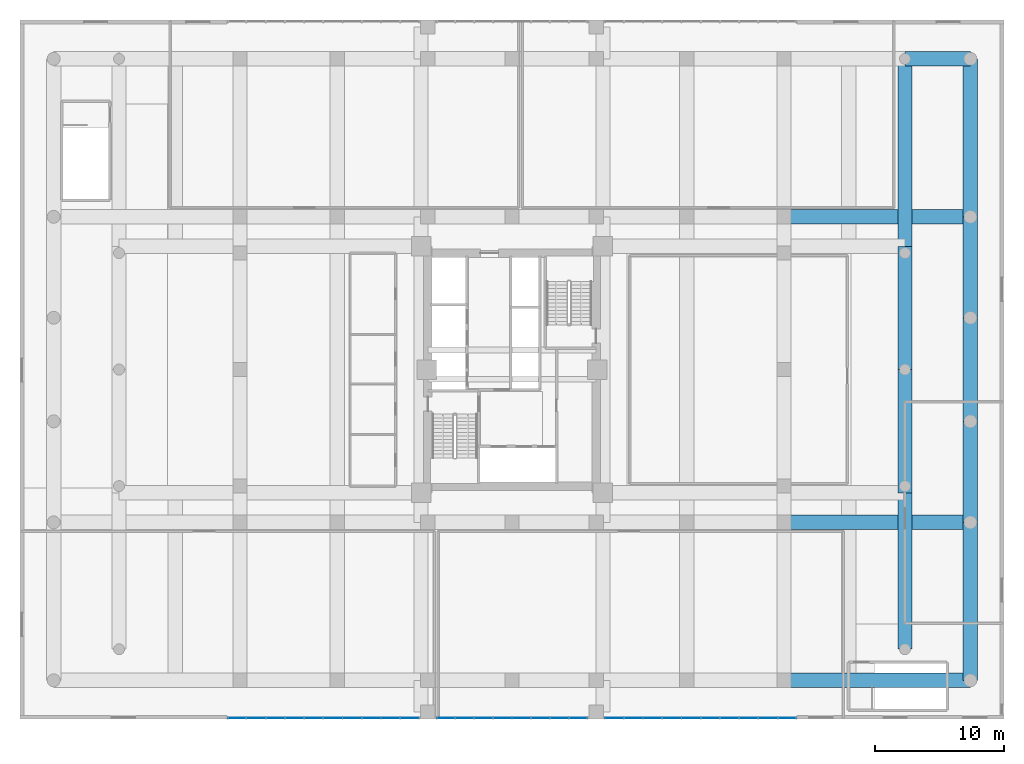
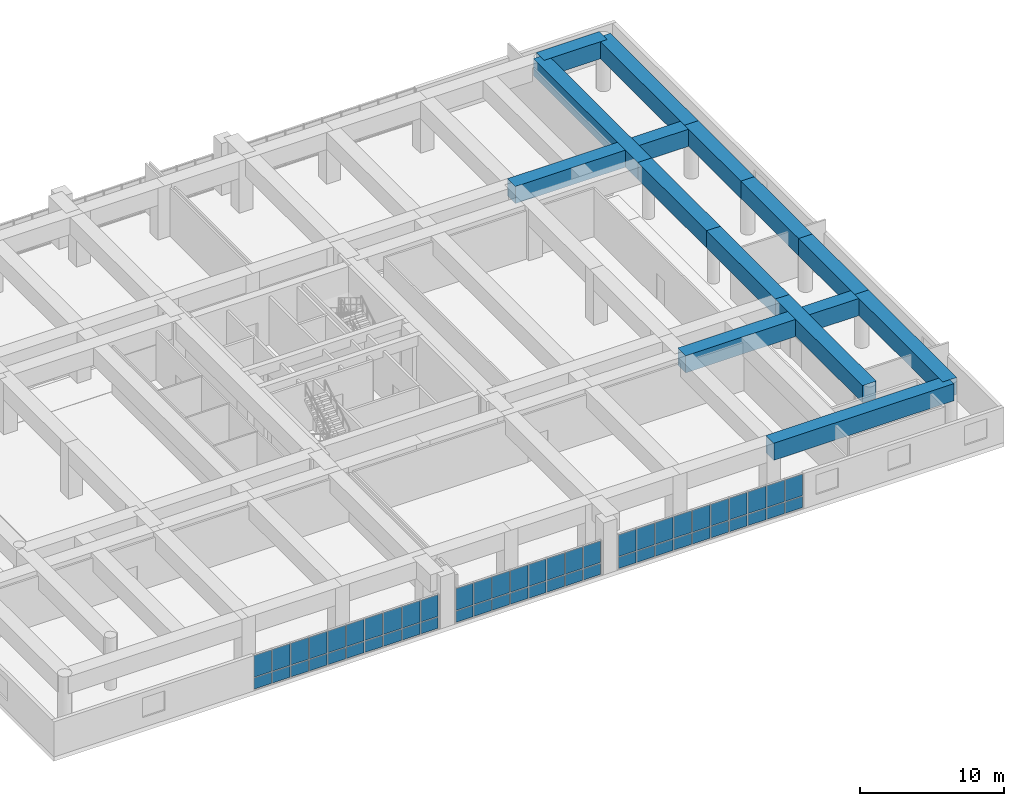
# One storey, part 16 of 28: 56 plates, 13 beams, 3 elements without a shape of their own.
"""IFC4 building model written with IfcOpenShell, lengths in metres."""

from ifc_helpers import new_model, si_unit, direction, frame, origin, origin_2d, place, context, subcontext, project, spatial, rectangle, extrude, source, transform, mapped, material, layer, layer_set, material_profile, profile_set, type_object, element, aggregate, save


model = new_model("IFC4")

# Units and contexts
model_context = context("Model", 3, precision=1e-05, world=origin(), true_north=direction((0.0, 1.0)))
body_context = subcontext(model_context, "Body", "Model", "MODEL_VIEW")
ifc_project = project(units=[si_unit("LENGTHUNIT", "METRE"), si_unit("AREAUNIT", "SQUARE_METRE"), si_unit("VOLUMEUNIT", "CUBIC_METRE"), si_unit("PLANEANGLEUNIT", "RADIAN"), si_unit("MASSUNIT", "GRAM", prefix="KILO")], contexts=[model_context])

# Site, building, storey
site_placement = place(None, origin())
site = spatial("IfcSite", under=ifc_project, at=site_placement, CompositionType="ELEMENT")
building_placement = place(site_placement, origin())
building = spatial("IfcBuilding", under=site, at=building_placement, Name="Saelheon Loggia Tower", CompositionType="ELEMENT")
storey_placement = place(building_placement, frame((0.0, 0.0, 15.0)))
storey = spatial("IfcBuildingStorey", under=building, at=storey_placement, Name="L04", CompositionType="ELEMENT", Elevation=15.0)

# Beams
ifc_material_1 = material(Name="Concrete C50/60", Category="concrete")
ifc_material_profile_1 = material_profile(ifc_material_1, rectangle(XDim=1.10009765625, YDim=1.449951171875, at=origin_2d()), Name="RC-1100x1450")
ifc_profile_set_1 = profile_set([ifc_material_profile_1], Name="Concrete C50/60")
beam_type_1 = type_object("IfcBeamType", Name="Beam_Transfer_RC1100x1450", PredefinedType="BEAM", material=ifc_profile_set_1)
shared_shape_1 = source(origin(), body_context, "Body", "SweptSolid", [
    extrude(rectangle(XDim=1.10009765625, YDim=1.449951171875, at=origin_2d()), origin(), (0.0, 0.0, 1.0), 14.39990234375),
])
for number, where, z_axis, x_axis, name in (
    (1, (59.0, 3.0, 3.675048828125), (1.0, 0.0, 0.0), (0.0, 1.0, 0.0), "BM-L04-EW-3-8"),
    (2, (59.0, 15.199951171875, 3.675048828125), (1.0, 0.0, 0.0), (0.0, 1.0, 0.0), "BM-L04-EW-15-8"),
    (3, (59.0, 38.800048828125, 3.675048828125), (1.0, 0.0, 0.0), (0.0, 1.0, 0.0), "BM-L04-EW-38-8"),
):
    element("IfcBeam", number, at=place(storey_placement, frame(where, z_axis=z_axis, x_axis=x_axis)), inside=storey, type_object=beam_type_1, Name=name, PredefinedType="BEAM", context=body_context, shape_type="MappedRepresentation", body=[
        mapped(shared_shape_1, transform((0.0, 0.0, 0.0), scale=1.0)),
    ])
shared_shape_2 = source(origin(), body_context, "Body", "SweptSolid", [
    extrude(rectangle(XDim=1.10009765625, YDim=1.449951171875, at=origin_2d()), origin(), (0.0, 0.0, 1.0), 5.0498046875),
])
beam_1_placement = place(storey_placement, frame((68.35009765625, 51.0, 3.675048828125), z_axis=(1.0, 0.0, 0.0), x_axis=(0.0, 1.0, 0.0)))
element("IfcBeam", 4, at=beam_1_placement, inside=storey, type_object=beam_type_1, Name="BM-L04-EW-51-10", PredefinedType="BEAM", context=body_context, shape_type="MappedRepresentation", body=[
    mapped(shared_shape_2, transform((0.0, 0.0, 0.0), scale=1.0)),
])
ifc_material_profile_2 = material_profile(ifc_material_1, rectangle(XDim=1.10009765625, YDim=1.449951171875, at=origin_2d()), Name="RC-1100x1450")
ifc_profile_set_2 = profile_set([ifc_material_profile_2], Name="Concrete C50/60")
beam_type_2 = type_object("IfcBeamType", Name="Beam_PerimTransfer_RC1100x1450", PredefinedType="BEAM", material=ifc_profile_set_2)
shared_shape_3 = source(origin(), body_context, "Body", "SweptSolid", [
    extrude(rectangle(XDim=1.10009765625, YDim=1.449951171875, at=origin_2d()), origin(), (0.0, 0.0, 1.0), 12.199951171875),
])
for number, where, z_axis, x_axis, name in (
    (5, (73.39990234375, 3.0, 3.675048828125), (0.0, 1.0, 0.0), (-1.0, 0.0, 0.0), "BM-L04-NS-73-1"),
    (6, (73.39990234375, 38.800048828125, 3.675048828125), (0.0, 1.0, 0.0), (-1.0, 0.0, 0.0), "BM-L04-NS-73-5"),
):
    element("IfcBeam", number, at=place(storey_placement, frame(where, z_axis=z_axis, x_axis=x_axis)), inside=storey, type_object=beam_type_2, Name=name, PredefinedType="BEAM", context=body_context, shape_type="MappedRepresentation", body=[
        mapped(shared_shape_3, transform((0.0, 0.0, 0.0), scale=1.0)),
    ])
shared_shape_4 = source(origin(), body_context, "Body", "SweptSolid", [
    extrude(rectangle(XDim=1.10009765625, YDim=1.449951171875, at=origin_2d()), origin(), (0.0, 0.0, 1.0), 7.800048828125),
])
for number, where, z_axis, x_axis, name in (
    (7, (73.39990234375, 15.199951171875, 3.675048828125), (0.0, 1.0, 0.0), (-1.0, 0.0, 0.0), "BM-L04-NS-73-2"),
    (8, (73.39990234375, 31.0, 3.675048828125), (0.0, 1.0, 0.0), (-1.0, 0.0, 0.0), "BM-L04-NS-73-4"),
):
    element("IfcBeam", number, at=place(storey_placement, frame(where, z_axis=z_axis, x_axis=x_axis)), inside=storey, type_object=beam_type_2, Name=name, PredefinedType="BEAM", context=body_context, shape_type="MappedRepresentation", body=[
        mapped(shared_shape_4, transform((0.0, 0.0, 0.0), scale=1.0)),
    ])
shared_shape_5 = source(origin(), body_context, "Body", "SweptSolid", [
    extrude(rectangle(XDim=1.10009765625, YDim=1.449951171875, at=origin_2d()), origin(), (0.0, 0.0, 1.0), 8.0),
])
beam_2_placement = place(storey_placement, frame((73.39990234375, 23.0, 3.675048828125), z_axis=(0.0, 1.0, 0.0), x_axis=(-1.0, 0.0, 0.0)))
element("IfcBeam", 9, at=beam_2_placement, inside=storey, type_object=beam_type_2, Name="BM-L04-NS-73-3", PredefinedType="BEAM", context=body_context, shape_type="MappedRepresentation", body=[
    mapped(shared_shape_5, transform((0.0, 0.0, 0.0), scale=1.0)),
])
shared_shape_6 = source(origin(), body_context, "Body", "SweptSolid", [
    extrude(rectangle(XDim=1.10009765625, YDim=1.449951171875, at=origin_2d()), origin(), (0.0, 0.0, 1.0), 12.080078125),
])
beam_3_placement = place(storey_placement, frame((68.35009765625, 5.39990234375, 3.675048828125), z_axis=(0.0, 1.0, 0.0), x_axis=(-1.0, 0.0, 0.0)))
element("IfcBeam", 10, at=beam_3_placement, inside=storey, type_object=beam_type_1, Name="BM-L04-NS-68-1", PredefinedType="BEAM", context=body_context, shape_type="MappedRepresentation", body=[
    mapped(shared_shape_6, transform((0.0, 0.0, 0.0), scale=1.0)),
])
shared_shape_7 = source(origin(), body_context, "Body", "SweptSolid", [
    extrude(rectangle(XDim=1.10009765625, YDim=1.449951171875, at=origin_2d()), origin(), (0.0, 0.0, 1.0), 9.52001953125),
])
for number, where, z_axis, x_axis, name in (
    (11, (68.35009765625, 17.47998046875, 3.675048828125), (0.0, 1.0, 0.0), (-1.0, 0.0, 0.0), "BM-L04-NS-68-2"),
    (12, (68.35009765625, 27.0, 3.675048828125), (0.0, 1.0, 0.0), (-1.0, 0.0, 0.0), "BM-L04-NS-68-3"),
):
    element("IfcBeam", number, at=place(storey_placement, frame(where, z_axis=z_axis, x_axis=x_axis)), inside=storey, type_object=beam_type_1, Name=name, PredefinedType="BEAM", context=body_context, shape_type="MappedRepresentation", body=[
        mapped(shared_shape_7, transform((0.0, 0.0, 0.0), scale=1.0)),
    ])
shared_shape_8 = source(origin(), body_context, "Body", "SweptSolid", [
    extrude(rectangle(XDim=1.10009765625, YDim=1.449951171875, at=origin_2d()), origin(), (0.0, 0.0, 1.0), 14.47998046875),
])
beam_4_placement = place(storey_placement, frame((68.35009765625, 36.52001953125, 3.675048828125), z_axis=(0.0, 1.0, 0.0), x_axis=(-1.0, 0.0, 0.0)))
element("IfcBeam", 13, at=beam_4_placement, inside=storey, type_object=beam_type_1, Name="BM-L04-NS-68-4", PredefinedType="BEAM", context=body_context, shape_type="MappedRepresentation", body=[
    mapped(shared_shape_8, transform((0.0, 0.0, 0.0), scale=1.0)),
])

# Curtain wall, plates
ifc_material_2 = material(Name="Aluminium 6063-T6 and Low-E IGU", Category="aluminium")
ifc_layer_1 = layer(ifc_material_2, 0.179931640625)
ifc_layer_set_1 = layer_set([ifc_layer_1], Name="Aluminium 6063-T6 and Low-E IGU")
curtain_wall_type = type_object("IfcCurtainWallType", Name="CW_PodiumClinic", PredefinedType="NOTDEFINED", material=ifc_layer_set_1)
curtain_wall_1_placement = place(storey_placement, origin())
curtain_wall_1 = element("IfcCurtainWall", 14, at=curtain_wall_1_placement, inside=storey, type_object=curtain_wall_type, Name="L04 South Clinic Curtain Wall 1", PredefinedType="NOTDEFINED")
ifc_material_3 = material(Name="Triple Low-E Laminated Glazing", Category="glass")
ifc_layer_2 = layer(ifc_material_3, 0.031982421875)
ifc_layer_set_2 = layer_set([ifc_layer_2], Name="Triple Low-E Laminated Glazing")
plate_type = type_object("IfcPlateType", Name="CW_PodiumClinic_Panel", PredefinedType="CURTAIN_PANEL", material=ifc_layer_set_2)
shared_shape_9 = source(origin(), body_context, "Body", "SweptSolid", [
    extrude(rectangle(XDim=1.3798828125, YDim=0.031982421875, at=origin_2d()), origin(), (0.0, 0.0, 1.0), 0.945068359375),
])
plate_1_placement = place(storey_placement, frame((16.760009765625, 0.10009765625, 0.06982421875), z_axis=(0.0, 0.0, 1.0), x_axis=(1.0, 0.0, 0.0)))
plate_1 = element("IfcPlate", 15, at=plate_1_placement, type_object=plate_type, Name="CW1 panel 1.1", PredefinedType="CURTAIN_PANEL", context=body_context, shape_type="MappedRepresentation", body=[
    mapped(shared_shape_9, transform((0.0, 0.0, 0.0), scale=1.0)),
])
plate_2_placement = place(storey_placement, frame((30.090087890625, 0.10009765625, 0.06982421875), z_axis=(0.0, 0.0, 1.0), x_axis=(1.0, 0.0, 0.0)))
plate_2 = element("IfcPlate", 16, at=plate_2_placement, type_object=plate_type, Name="CW1 panel 10.1", PredefinedType="CURTAIN_PANEL", context=body_context, shape_type="MappedRepresentation", body=[
    mapped(shared_shape_9, transform((0.0, 0.0, 0.0), scale=1.0)),
])

curtain_wall_2_placement = place(storey_placement, origin())
curtain_wall_2 = element("IfcCurtainWall", 17, at=curtain_wall_2_placement, inside=storey, type_object=curtain_wall_type, Name="L04 South Clinic Curtain Wall 3", PredefinedType="NOTDEFINED")
plate_3_placement = place(storey_placement, frame((45.909912109375, 0.10009765625, 0.06982421875), z_axis=(0.0, 0.0, 1.0), x_axis=(1.0, 0.0, 0.0)))
plate_3 = element("IfcPlate", 18, at=plate_3_placement, type_object=plate_type, Name="CW1 panel 1.1", PredefinedType="CURTAIN_PANEL", context=body_context, shape_type="MappedRepresentation", body=[
    mapped(shared_shape_9, transform((0.0, 0.0, 0.0), scale=1.0)),
])
plate_4_placement = place(storey_placement, frame((59.239990234375, 0.10009765625, 0.06982421875), z_axis=(0.0, 0.0, 1.0), x_axis=(1.0, 0.0, 0.0)))
plate_4 = element("IfcPlate", 19, at=plate_4_placement, type_object=plate_type, Name="CW1 panel 10.1", PredefinedType="CURTAIN_PANEL", context=body_context, shape_type="MappedRepresentation", body=[
    mapped(shared_shape_9, transform((0.0, 0.0, 0.0), scale=1.0)),
])

# Plate
shared_shape_10 = source(origin(), body_context, "Body", "SweptSolid", [
    extrude(rectangle(XDim=1.4150390625, YDim=0.031982421875, at=origin_2d()), origin(), (0.0, 0.0, 1.0), 0.945068359375),
])
plate_5_placement = place(storey_placement, frame((18.2275390625, 0.10009765625, 0.06982421875), z_axis=(0.0, 0.0, 1.0), x_axis=(1.0, 0.0, 0.0)))
plate_5 = element("IfcPlate", 20, at=plate_5_placement, type_object=plate_type, Name="CW1 panel 2.1", PredefinedType="CURTAIN_PANEL", context=body_context, shape_type="MappedRepresentation", body=[
    mapped(shared_shape_10, transform((0.0, 0.0, 0.0), scale=1.0)),
])

plate_6_placement = place(storey_placement, frame((19.71240234375, 0.10009765625, 0.06982421875), z_axis=(0.0, 0.0, 1.0), x_axis=(1.0, 0.0, 0.0)))
plate_6 = element("IfcPlate", 21, at=plate_6_placement, type_object=plate_type, Name="CW1 panel 3.1", PredefinedType="CURTAIN_PANEL", context=body_context, shape_type="MappedRepresentation", body=[
    mapped(shared_shape_10, transform((0.0, 0.0, 0.0), scale=1.0)),
])

plate_7_placement = place(storey_placement, frame((21.197509765625, 0.10009765625, 0.06982421875), z_axis=(0.0, 0.0, 1.0), x_axis=(1.0, 0.0, 0.0)))
plate_7 = element("IfcPlate", 22, at=plate_7_placement, type_object=plate_type, Name="CW1 panel 4.1", PredefinedType="CURTAIN_PANEL", context=body_context, shape_type="MappedRepresentation", body=[
    mapped(shared_shape_10, transform((0.0, 0.0, 0.0), scale=1.0)),
])

plate_8_placement = place(storey_placement, frame((22.6826171875, 0.10009765625, 0.06982421875), z_axis=(0.0, 0.0, 1.0), x_axis=(1.0, 0.0, 0.0)))
plate_8 = element("IfcPlate", 23, at=plate_8_placement, type_object=plate_type, Name="CW1 panel 5.1", PredefinedType="CURTAIN_PANEL", context=body_context, shape_type="MappedRepresentation", body=[
    mapped(shared_shape_10, transform((0.0, 0.0, 0.0), scale=1.0)),
])

plate_9_placement = place(storey_placement, frame((24.16748046875, 0.10009765625, 0.06982421875), z_axis=(0.0, 0.0, 1.0), x_axis=(1.0, 0.0, 0.0)))
plate_9 = element("IfcPlate", 24, at=plate_9_placement, type_object=plate_type, Name="CW1 panel 6.1", PredefinedType="CURTAIN_PANEL", context=body_context, shape_type="MappedRepresentation", body=[
    mapped(shared_shape_10, transform((0.0, 0.0, 0.0), scale=1.0)),
])

plate_10_placement = place(storey_placement, frame((25.652587890625, 0.10009765625, 0.06982421875), z_axis=(0.0, 0.0, 1.0), x_axis=(1.0, 0.0, 0.0)))
plate_10 = element("IfcPlate", 25, at=plate_10_placement, type_object=plate_type, Name="CW1 panel 7.1", PredefinedType="CURTAIN_PANEL", context=body_context, shape_type="MappedRepresentation", body=[
    mapped(shared_shape_10, transform((0.0, 0.0, 0.0), scale=1.0)),
])

plate_11_placement = place(storey_placement, frame((27.137451171875, 0.10009765625, 0.06982421875), z_axis=(0.0, 0.0, 1.0), x_axis=(1.0, 0.0, 0.0)))
plate_11 = element("IfcPlate", 26, at=plate_11_placement, type_object=plate_type, Name="CW1 panel 8.1", PredefinedType="CURTAIN_PANEL", context=body_context, shape_type="MappedRepresentation", body=[
    mapped(shared_shape_10, transform((0.0, 0.0, 0.0), scale=1.0)),
])

plate_12_placement = place(storey_placement, frame((28.62255859375, 0.10009765625, 0.06982421875), z_axis=(0.0, 0.0, 1.0), x_axis=(1.0, 0.0, 0.0)))
plate_12 = element("IfcPlate", 27, at=plate_12_placement, type_object=plate_type, Name="CW1 panel 9.1", PredefinedType="CURTAIN_PANEL", context=body_context, shape_type="MappedRepresentation", body=[
    mapped(shared_shape_10, transform((0.0, 0.0, 0.0), scale=1.0)),
])

plate_13_placement = place(storey_placement, frame((47.37744140625, 0.10009765625, 0.06982421875), z_axis=(0.0, 0.0, 1.0), x_axis=(1.0, 0.0, 0.0)))
plate_13 = element("IfcPlate", 28, at=plate_13_placement, type_object=plate_type, Name="CW1 panel 2.1", PredefinedType="CURTAIN_PANEL", context=body_context, shape_type="MappedRepresentation", body=[
    mapped(shared_shape_10, transform((0.0, 0.0, 0.0), scale=1.0)),
])

plate_14_placement = place(storey_placement, frame((48.862548828125, 0.10009765625, 0.06982421875), z_axis=(0.0, 0.0, 1.0), x_axis=(1.0, 0.0, 0.0)))
plate_14 = element("IfcPlate", 29, at=plate_14_placement, type_object=plate_type, Name="CW1 panel 3.1", PredefinedType="CURTAIN_PANEL", context=body_context, shape_type="MappedRepresentation", body=[
    mapped(shared_shape_10, transform((0.0, 0.0, 0.0), scale=1.0)),
])

plate_15_placement = place(storey_placement, frame((50.347412109375, 0.10009765625, 0.06982421875), z_axis=(0.0, 0.0, 1.0), x_axis=(1.0, 0.0, 0.0)))
plate_15 = element("IfcPlate", 30, at=plate_15_placement, type_object=plate_type, Name="CW1 panel 4.1", PredefinedType="CURTAIN_PANEL", context=body_context, shape_type="MappedRepresentation", body=[
    mapped(shared_shape_10, transform((0.0, 0.0, 0.0), scale=1.0)),
])

plate_16_placement = place(storey_placement, frame((51.83251953125, 0.10009765625, 0.06982421875), z_axis=(0.0, 0.0, 1.0), x_axis=(1.0, 0.0, 0.0)))
plate_16 = element("IfcPlate", 31, at=plate_16_placement, type_object=plate_type, Name="CW1 panel 5.1", PredefinedType="CURTAIN_PANEL", context=body_context, shape_type="MappedRepresentation", body=[
    mapped(shared_shape_10, transform((0.0, 0.0, 0.0), scale=1.0)),
])

plate_17_placement = place(storey_placement, frame((53.3173828125, 0.10009765625, 0.06982421875), z_axis=(0.0, 0.0, 1.0), x_axis=(1.0, 0.0, 0.0)))
plate_17 = element("IfcPlate", 32, at=plate_17_placement, type_object=plate_type, Name="CW1 panel 6.1", PredefinedType="CURTAIN_PANEL", context=body_context, shape_type="MappedRepresentation", body=[
    mapped(shared_shape_10, transform((0.0, 0.0, 0.0), scale=1.0)),
])

plate_18_placement = place(storey_placement, frame((54.802490234375, 0.10009765625, 0.06982421875), z_axis=(0.0, 0.0, 1.0), x_axis=(1.0, 0.0, 0.0)))
plate_18 = element("IfcPlate", 33, at=plate_18_placement, type_object=plate_type, Name="CW1 panel 7.1", PredefinedType="CURTAIN_PANEL", context=body_context, shape_type="MappedRepresentation", body=[
    mapped(shared_shape_10, transform((0.0, 0.0, 0.0), scale=1.0)),
])

plate_19_placement = place(storey_placement, frame((56.28759765625, 0.10009765625, 0.06982421875), z_axis=(0.0, 0.0, 1.0), x_axis=(1.0, 0.0, 0.0)))
plate_19 = element("IfcPlate", 34, at=plate_19_placement, type_object=plate_type, Name="CW1 panel 8.1", PredefinedType="CURTAIN_PANEL", context=body_context, shape_type="MappedRepresentation", body=[
    mapped(shared_shape_10, transform((0.0, 0.0, 0.0), scale=1.0)),
])

plate_20_placement = place(storey_placement, frame((57.7724609375, 0.10009765625, 0.06982421875), z_axis=(0.0, 0.0, 1.0), x_axis=(1.0, 0.0, 0.0)))
plate_20 = element("IfcPlate", 35, at=plate_20_placement, type_object=plate_type, Name="CW1 panel 9.1", PredefinedType="CURTAIN_PANEL", context=body_context, shape_type="MappedRepresentation", body=[
    mapped(shared_shape_10, transform((0.0, 0.0, 0.0), scale=1.0)),
])

# Curtain wall, plates
curtain_wall_3_placement = place(storey_placement, origin())
curtain_wall_3 = element("IfcCurtainWall", 36, at=curtain_wall_3_placement, inside=storey, type_object=curtain_wall_type, Name="L04 South Clinic Curtain Wall 2", PredefinedType="NOTDEFINED")
shared_shape_11 = source(origin(), body_context, "Body", "SweptSolid", [
    extrude(rectangle(XDim=1.357421875, YDim=0.031982421875, at=origin_2d()), origin(), (0.0, 0.0, 1.0), 0.945068359375),
])
plate_21_placement = place(storey_placement, frame((32.898681640625, 0.10009765625, 0.06982421875), z_axis=(0.0, 0.0, 1.0), x_axis=(1.0, 0.0, 0.0)))
plate_21 = element("IfcPlate", 37, at=plate_21_placement, type_object=plate_type, Name="CW1 panel 1.1", PredefinedType="CURTAIN_PANEL", context=body_context, shape_type="MappedRepresentation", body=[
    mapped(shared_shape_11, transform((0.0, 0.0, 0.0), scale=1.0)),
])
plate_22_placement = place(storey_placement, frame((43.101318359375, 0.10009765625, 0.06982421875), z_axis=(0.0, 0.0, 1.0), x_axis=(1.0, 0.0, 0.0)))
plate_22 = element("IfcPlate", 38, at=plate_22_placement, type_object=plate_type, Name="CW1 panel 8.1", PredefinedType="CURTAIN_PANEL", context=body_context, shape_type="MappedRepresentation", body=[
    mapped(shared_shape_11, transform((0.0, 0.0, 0.0), scale=1.0)),
])
shared_shape_12 = source(origin(), body_context, "Body", "SweptSolid", [
    extrude(rectangle(XDim=1.392578125, YDim=0.031982421875, at=origin_2d()), origin(), (0.0, 0.0, 1.0), 0.945068359375),
])
plate_23_placement = place(storey_placement, frame((34.34375, 0.10009765625, 0.06982421875), z_axis=(0.0, 0.0, 1.0), x_axis=(1.0, 0.0, 0.0)))
plate_23 = element("IfcPlate", 39, at=plate_23_placement, type_object=plate_type, Name="CW1 panel 2.1", PredefinedType="CURTAIN_PANEL", context=body_context, shape_type="MappedRepresentation", body=[
    mapped(shared_shape_12, transform((0.0, 0.0, 0.0), scale=1.0)),
])
plate_24_placement = place(storey_placement, frame((35.80615234375, 0.10009765625, 0.06982421875), z_axis=(0.0, 0.0, 1.0), x_axis=(1.0, 0.0, 0.0)))
plate_24 = element("IfcPlate", 40, at=plate_24_placement, type_object=plate_type, Name="CW1 panel 3.1", PredefinedType="CURTAIN_PANEL", context=body_context, shape_type="MappedRepresentation", body=[
    mapped(shared_shape_12, transform((0.0, 0.0, 0.0), scale=1.0)),
])
plate_25_placement = place(storey_placement, frame((37.268798828125, 0.10009765625, 0.06982421875), z_axis=(0.0, 0.0, 1.0), x_axis=(1.0, 0.0, 0.0)))
plate_25 = element("IfcPlate", 41, at=plate_25_placement, type_object=plate_type, Name="CW1 panel 4.1", PredefinedType="CURTAIN_PANEL", context=body_context, shape_type="MappedRepresentation", body=[
    mapped(shared_shape_12, transform((0.0, 0.0, 0.0), scale=1.0)),
])
plate_26_placement = place(storey_placement, frame((38.731201171875, 0.10009765625, 0.06982421875), z_axis=(0.0, 0.0, 1.0), x_axis=(1.0, 0.0, 0.0)))
plate_26 = element("IfcPlate", 42, at=plate_26_placement, type_object=plate_type, Name="CW1 panel 5.1", PredefinedType="CURTAIN_PANEL", context=body_context, shape_type="MappedRepresentation", body=[
    mapped(shared_shape_12, transform((0.0, 0.0, 0.0), scale=1.0)),
])
plate_27_placement = place(storey_placement, frame((40.19384765625, 0.10009765625, 0.06982421875), z_axis=(0.0, 0.0, 1.0), x_axis=(1.0, 0.0, 0.0)))
plate_27 = element("IfcPlate", 43, at=plate_27_placement, type_object=plate_type, Name="CW1 panel 6.1", PredefinedType="CURTAIN_PANEL", context=body_context, shape_type="MappedRepresentation", body=[
    mapped(shared_shape_12, transform((0.0, 0.0, 0.0), scale=1.0)),
])
plate_28_placement = place(storey_placement, frame((41.65625, 0.10009765625, 0.06982421875), z_axis=(0.0, 0.0, 1.0), x_axis=(1.0, 0.0, 0.0)))
plate_28 = element("IfcPlate", 44, at=plate_28_placement, type_object=plate_type, Name="CW1 panel 7.1", PredefinedType="CURTAIN_PANEL", context=body_context, shape_type="MappedRepresentation", body=[
    mapped(shared_shape_12, transform((0.0, 0.0, 0.0), scale=1.0)),
])

# Plate
shared_shape_13 = source(origin(), body_context, "Body", "SweptSolid", [
    extrude(rectangle(XDim=1.3798828125, YDim=0.031982421875, at=origin_2d()), origin(), (0.0, 0.0, 1.0), 1.824951171875),
])
plate_29_placement = place(storey_placement, frame((16.760009765625, 0.10009765625, 1.0849609375), z_axis=(0.0, 0.0, 1.0), x_axis=(1.0, 0.0, 0.0)))
plate_29 = element("IfcPlate", 45, at=plate_29_placement, type_object=plate_type, Name="CW1 panel 1.2", PredefinedType="CURTAIN_PANEL", context=body_context, shape_type="MappedRepresentation", body=[
    mapped(shared_shape_13, transform((0.0, 0.0, 0.0), scale=1.0)),
])

plate_30_placement = place(storey_placement, frame((30.090087890625, 0.10009765625, 1.0849609375), z_axis=(0.0, 0.0, 1.0), x_axis=(1.0, 0.0, 0.0)))
plate_30 = element("IfcPlate", 46, at=plate_30_placement, type_object=plate_type, Name="CW1 panel 10.2", PredefinedType="CURTAIN_PANEL", context=body_context, shape_type="MappedRepresentation", body=[
    mapped(shared_shape_13, transform((0.0, 0.0, 0.0), scale=1.0)),
])

plate_31_placement = place(storey_placement, frame((45.909912109375, 0.10009765625, 1.0849609375), z_axis=(0.0, 0.0, 1.0), x_axis=(1.0, 0.0, 0.0)))
plate_31 = element("IfcPlate", 47, at=plate_31_placement, type_object=plate_type, Name="CW1 panel 1.2", PredefinedType="CURTAIN_PANEL", context=body_context, shape_type="MappedRepresentation", body=[
    mapped(shared_shape_13, transform((0.0, 0.0, 0.0), scale=1.0)),
])

plate_32_placement = place(storey_placement, frame((59.239990234375, 0.10009765625, 1.0849609375), z_axis=(0.0, 0.0, 1.0), x_axis=(1.0, 0.0, 0.0)))
plate_32 = element("IfcPlate", 48, at=plate_32_placement, type_object=plate_type, Name="CW1 panel 10.2", PredefinedType="CURTAIN_PANEL", context=body_context, shape_type="MappedRepresentation", body=[
    mapped(shared_shape_13, transform((0.0, 0.0, 0.0), scale=1.0)),
])

shared_shape_14 = source(origin(), body_context, "Body", "SweptSolid", [
    extrude(rectangle(XDim=1.4150390625, YDim=0.031982421875, at=origin_2d()), origin(), (0.0, 0.0, 1.0), 1.824951171875),
])
plate_33_placement = place(storey_placement, frame((18.2275390625, 0.10009765625, 1.0849609375), z_axis=(0.0, 0.0, 1.0), x_axis=(1.0, 0.0, 0.0)))
plate_33 = element("IfcPlate", 49, at=plate_33_placement, type_object=plate_type, Name="CW1 panel 2.2", PredefinedType="CURTAIN_PANEL", context=body_context, shape_type="MappedRepresentation", body=[
    mapped(shared_shape_14, transform((0.0, 0.0, 0.0), scale=1.0)),
])

plate_34_placement = place(storey_placement, frame((19.71240234375, 0.10009765625, 1.0849609375), z_axis=(0.0, 0.0, 1.0), x_axis=(1.0, 0.0, 0.0)))
plate_34 = element("IfcPlate", 50, at=plate_34_placement, type_object=plate_type, Name="CW1 panel 3.2", PredefinedType="CURTAIN_PANEL", context=body_context, shape_type="MappedRepresentation", body=[
    mapped(shared_shape_14, transform((0.0, 0.0, 0.0), scale=1.0)),
])

plate_35_placement = place(storey_placement, frame((21.197509765625, 0.10009765625, 1.0849609375), z_axis=(0.0, 0.0, 1.0), x_axis=(1.0, 0.0, 0.0)))
plate_35 = element("IfcPlate", 51, at=plate_35_placement, type_object=plate_type, Name="CW1 panel 4.2", PredefinedType="CURTAIN_PANEL", context=body_context, shape_type="MappedRepresentation", body=[
    mapped(shared_shape_14, transform((0.0, 0.0, 0.0), scale=1.0)),
])

plate_36_placement = place(storey_placement, frame((22.6826171875, 0.10009765625, 1.0849609375), z_axis=(0.0, 0.0, 1.0), x_axis=(1.0, 0.0, 0.0)))
plate_36 = element("IfcPlate", 52, at=plate_36_placement, type_object=plate_type, Name="CW1 panel 5.2", PredefinedType="CURTAIN_PANEL", context=body_context, shape_type="MappedRepresentation", body=[
    mapped(shared_shape_14, transform((0.0, 0.0, 0.0), scale=1.0)),
])

plate_37_placement = place(storey_placement, frame((24.16748046875, 0.10009765625, 1.0849609375), z_axis=(0.0, 0.0, 1.0), x_axis=(1.0, 0.0, 0.0)))
plate_37 = element("IfcPlate", 53, at=plate_37_placement, type_object=plate_type, Name="CW1 panel 6.2", PredefinedType="CURTAIN_PANEL", context=body_context, shape_type="MappedRepresentation", body=[
    mapped(shared_shape_14, transform((0.0, 0.0, 0.0), scale=1.0)),
])

plate_38_placement = place(storey_placement, frame((25.652587890625, 0.10009765625, 1.0849609375), z_axis=(0.0, 0.0, 1.0), x_axis=(1.0, 0.0, 0.0)))
plate_38 = element("IfcPlate", 54, at=plate_38_placement, type_object=plate_type, Name="CW1 panel 7.2", PredefinedType="CURTAIN_PANEL", context=body_context, shape_type="MappedRepresentation", body=[
    mapped(shared_shape_14, transform((0.0, 0.0, 0.0), scale=1.0)),
])

plate_39_placement = place(storey_placement, frame((27.137451171875, 0.10009765625, 1.0849609375), z_axis=(0.0, 0.0, 1.0), x_axis=(1.0, 0.0, 0.0)))
plate_39 = element("IfcPlate", 55, at=plate_39_placement, type_object=plate_type, Name="CW1 panel 8.2", PredefinedType="CURTAIN_PANEL", context=body_context, shape_type="MappedRepresentation", body=[
    mapped(shared_shape_14, transform((0.0, 0.0, 0.0), scale=1.0)),
])

plate_40_placement = place(storey_placement, frame((28.62255859375, 0.10009765625, 1.0849609375), z_axis=(0.0, 0.0, 1.0), x_axis=(1.0, 0.0, 0.0)))
plate_40 = element("IfcPlate", 56, at=plate_40_placement, type_object=plate_type, Name="CW1 panel 9.2", PredefinedType="CURTAIN_PANEL", context=body_context, shape_type="MappedRepresentation", body=[
    mapped(shared_shape_14, transform((0.0, 0.0, 0.0), scale=1.0)),
])

aggregate(curtain_wall_1, [plate_1, plate_29, plate_5, plate_33, plate_6, plate_34, plate_7, plate_35, plate_8, plate_36, plate_9, plate_37, plate_10, plate_38, plate_11, plate_39, plate_12, plate_40, plate_2, plate_30])

plate_41_placement = place(storey_placement, frame((47.37744140625, 0.10009765625, 1.0849609375), z_axis=(0.0, 0.0, 1.0), x_axis=(1.0, 0.0, 0.0)))
plate_41 = element("IfcPlate", 57, at=plate_41_placement, type_object=plate_type, Name="CW1 panel 2.2", PredefinedType="CURTAIN_PANEL", context=body_context, shape_type="MappedRepresentation", body=[
    mapped(shared_shape_14, transform((0.0, 0.0, 0.0), scale=1.0)),
])

plate_42_placement = place(storey_placement, frame((48.862548828125, 0.10009765625, 1.0849609375), z_axis=(0.0, 0.0, 1.0), x_axis=(1.0, 0.0, 0.0)))
plate_42 = element("IfcPlate", 58, at=plate_42_placement, type_object=plate_type, Name="CW1 panel 3.2", PredefinedType="CURTAIN_PANEL", context=body_context, shape_type="MappedRepresentation", body=[
    mapped(shared_shape_14, transform((0.0, 0.0, 0.0), scale=1.0)),
])

plate_43_placement = place(storey_placement, frame((50.347412109375, 0.10009765625, 1.0849609375), z_axis=(0.0, 0.0, 1.0), x_axis=(1.0, 0.0, 0.0)))
plate_43 = element("IfcPlate", 59, at=plate_43_placement, type_object=plate_type, Name="CW1 panel 4.2", PredefinedType="CURTAIN_PANEL", context=body_context, shape_type="MappedRepresentation", body=[
    mapped(shared_shape_14, transform((0.0, 0.0, 0.0), scale=1.0)),
])

plate_44_placement = place(storey_placement, frame((51.83251953125, 0.10009765625, 1.0849609375), z_axis=(0.0, 0.0, 1.0), x_axis=(1.0, 0.0, 0.0)))
plate_44 = element("IfcPlate", 60, at=plate_44_placement, type_object=plate_type, Name="CW1 panel 5.2", PredefinedType="CURTAIN_PANEL", context=body_context, shape_type="MappedRepresentation", body=[
    mapped(shared_shape_14, transform((0.0, 0.0, 0.0), scale=1.0)),
])

plate_45_placement = place(storey_placement, frame((53.3173828125, 0.10009765625, 1.0849609375), z_axis=(0.0, 0.0, 1.0), x_axis=(1.0, 0.0, 0.0)))
plate_45 = element("IfcPlate", 61, at=plate_45_placement, type_object=plate_type, Name="CW1 panel 6.2", PredefinedType="CURTAIN_PANEL", context=body_context, shape_type="MappedRepresentation", body=[
    mapped(shared_shape_14, transform((0.0, 0.0, 0.0), scale=1.0)),
])

plate_46_placement = place(storey_placement, frame((54.802490234375, 0.10009765625, 1.0849609375), z_axis=(0.0, 0.0, 1.0), x_axis=(1.0, 0.0, 0.0)))
plate_46 = element("IfcPlate", 62, at=plate_46_placement, type_object=plate_type, Name="CW1 panel 7.2", PredefinedType="CURTAIN_PANEL", context=body_context, shape_type="MappedRepresentation", body=[
    mapped(shared_shape_14, transform((0.0, 0.0, 0.0), scale=1.0)),
])

plate_47_placement = place(storey_placement, frame((56.28759765625, 0.10009765625, 1.0849609375), z_axis=(0.0, 0.0, 1.0), x_axis=(1.0, 0.0, 0.0)))
plate_47 = element("IfcPlate", 63, at=plate_47_placement, type_object=plate_type, Name="CW1 panel 8.2", PredefinedType="CURTAIN_PANEL", context=body_context, shape_type="MappedRepresentation", body=[
    mapped(shared_shape_14, transform((0.0, 0.0, 0.0), scale=1.0)),
])

plate_48_placement = place(storey_placement, frame((57.7724609375, 0.10009765625, 1.0849609375), z_axis=(0.0, 0.0, 1.0), x_axis=(1.0, 0.0, 0.0)))
plate_48 = element("IfcPlate", 64, at=plate_48_placement, type_object=plate_type, Name="CW1 panel 9.2", PredefinedType="CURTAIN_PANEL", context=body_context, shape_type="MappedRepresentation", body=[
    mapped(shared_shape_14, transform((0.0, 0.0, 0.0), scale=1.0)),
])

aggregate(curtain_wall_2, [plate_3, plate_31, plate_13, plate_41, plate_14, plate_42, plate_15, plate_43, plate_16, plate_44, plate_17, plate_45, plate_18, plate_46, plate_19, plate_47, plate_20, plate_48, plate_4, plate_32])

shared_shape_15 = source(origin(), body_context, "Body", "SweptSolid", [
    extrude(rectangle(XDim=1.357421875, YDim=0.031982421875, at=origin_2d()), origin(), (0.0, 0.0, 1.0), 1.824951171875),
])
plate_49_placement = place(storey_placement, frame((32.898681640625, 0.10009765625, 1.0849609375), z_axis=(0.0, 0.0, 1.0), x_axis=(1.0, 0.0, 0.0)))
plate_49 = element("IfcPlate", 65, at=plate_49_placement, type_object=plate_type, Name="CW1 panel 1.2", PredefinedType="CURTAIN_PANEL", context=body_context, shape_type="MappedRepresentation", body=[
    mapped(shared_shape_15, transform((0.0, 0.0, 0.0), scale=1.0)),
])

plate_50_placement = place(storey_placement, frame((43.101318359375, 0.10009765625, 1.0849609375), z_axis=(0.0, 0.0, 1.0), x_axis=(1.0, 0.0, 0.0)))
plate_50 = element("IfcPlate", 66, at=plate_50_placement, type_object=plate_type, Name="CW1 panel 8.2", PredefinedType="CURTAIN_PANEL", context=body_context, shape_type="MappedRepresentation", body=[
    mapped(shared_shape_15, transform((0.0, 0.0, 0.0), scale=1.0)),
])

shared_shape_16 = source(origin(), body_context, "Body", "SweptSolid", [
    extrude(rectangle(XDim=1.392578125, YDim=0.031982421875, at=origin_2d()), origin(), (0.0, 0.0, 1.0), 1.824951171875),
])
plate_51_placement = place(storey_placement, frame((34.34375, 0.10009765625, 1.0849609375), z_axis=(0.0, 0.0, 1.0), x_axis=(1.0, 0.0, 0.0)))
plate_51 = element("IfcPlate", 67, at=plate_51_placement, type_object=plate_type, Name="CW1 panel 2.2", PredefinedType="CURTAIN_PANEL", context=body_context, shape_type="MappedRepresentation", body=[
    mapped(shared_shape_16, transform((0.0, 0.0, 0.0), scale=1.0)),
])

plate_52_placement = place(storey_placement, frame((35.80615234375, 0.10009765625, 1.0849609375), z_axis=(0.0, 0.0, 1.0), x_axis=(1.0, 0.0, 0.0)))
plate_52 = element("IfcPlate", 68, at=plate_52_placement, type_object=plate_type, Name="CW1 panel 3.2", PredefinedType="CURTAIN_PANEL", context=body_context, shape_type="MappedRepresentation", body=[
    mapped(shared_shape_16, transform((0.0, 0.0, 0.0), scale=1.0)),
])

plate_53_placement = place(storey_placement, frame((37.268798828125, 0.10009765625, 1.0849609375), z_axis=(0.0, 0.0, 1.0), x_axis=(1.0, 0.0, 0.0)))
plate_53 = element("IfcPlate", 69, at=plate_53_placement, type_object=plate_type, Name="CW1 panel 4.2", PredefinedType="CURTAIN_PANEL", context=body_context, shape_type="MappedRepresentation", body=[
    mapped(shared_shape_16, transform((0.0, 0.0, 0.0), scale=1.0)),
])

plate_54_placement = place(storey_placement, frame((38.731201171875, 0.10009765625, 1.0849609375), z_axis=(0.0, 0.0, 1.0), x_axis=(1.0, 0.0, 0.0)))
plate_54 = element("IfcPlate", 70, at=plate_54_placement, type_object=plate_type, Name="CW1 panel 5.2", PredefinedType="CURTAIN_PANEL", context=body_context, shape_type="MappedRepresentation", body=[
    mapped(shared_shape_16, transform((0.0, 0.0, 0.0), scale=1.0)),
])

plate_55_placement = place(storey_placement, frame((40.19384765625, 0.10009765625, 1.0849609375), z_axis=(0.0, 0.0, 1.0), x_axis=(1.0, 0.0, 0.0)))
plate_55 = element("IfcPlate", 71, at=plate_55_placement, type_object=plate_type, Name="CW1 panel 6.2", PredefinedType="CURTAIN_PANEL", context=body_context, shape_type="MappedRepresentation", body=[
    mapped(shared_shape_16, transform((0.0, 0.0, 0.0), scale=1.0)),
])

plate_56_placement = place(storey_placement, frame((41.65625, 0.10009765625, 1.0849609375), z_axis=(0.0, 0.0, 1.0), x_axis=(1.0, 0.0, 0.0)))
plate_56 = element("IfcPlate", 72, at=plate_56_placement, type_object=plate_type, Name="CW1 panel 7.2", PredefinedType="CURTAIN_PANEL", context=body_context, shape_type="MappedRepresentation", body=[
    mapped(shared_shape_16, transform((0.0, 0.0, 0.0), scale=1.0)),
])

aggregate(curtain_wall_3, [plate_21, plate_49, plate_23, plate_51, plate_24, plate_52, plate_25, plate_53, plate_26, plate_54, plate_27, plate_55, plate_28, plate_56, plate_22, plate_50])

save(model, "model.ifc")
